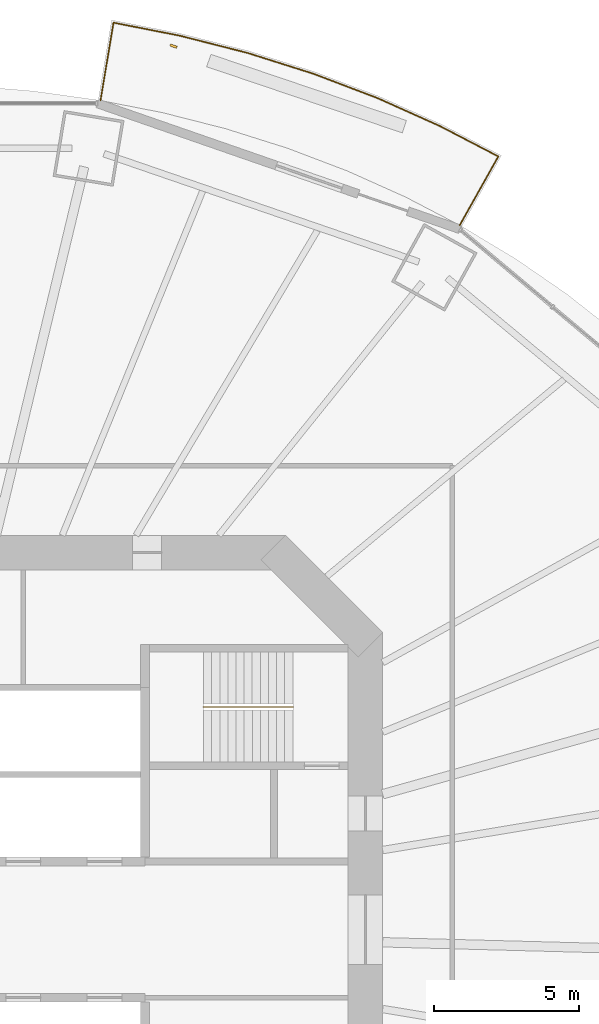
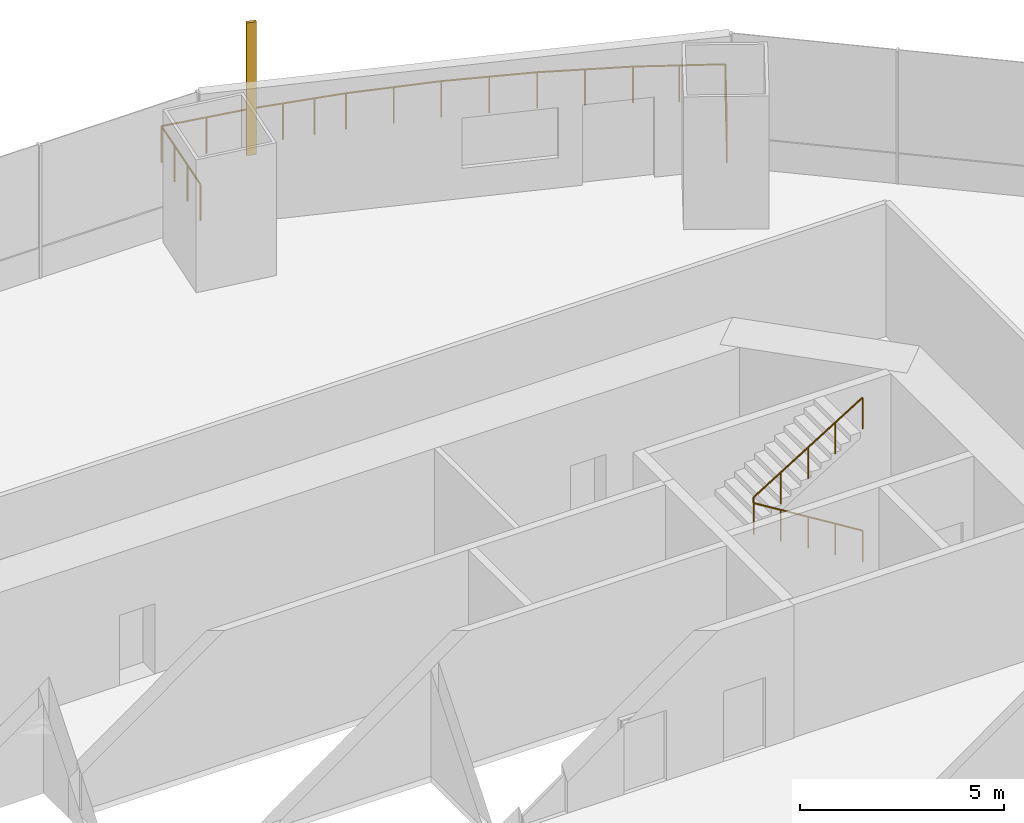
# One storey, part 20 of 22: 2 railings, 1 shading device.
"""IFC4 building model written with IfcOpenShell, lengths in metres."""

from ifc_helpers import new_model, si_unit, direction, frame, origin, origin_2d, place, context, subcontext, project, spatial, rectangle, circle, extrude, material, material_profile, profile_set, type_object, element, save


model = new_model("IFC4")

# Units and contexts
model_context = context("Model", 3, precision=1e-05, world=origin(), true_north=direction((0.0, 1.0)))
body_context = subcontext(model_context, "Body", "Model", "MODEL_VIEW")
ifc_project = project(units=[si_unit("LENGTHUNIT", "METRE"), si_unit("AREAUNIT", "SQUARE_METRE"), si_unit("VOLUMEUNIT", "CUBIC_METRE"), si_unit("PLANEANGLEUNIT", "RADIAN"), si_unit("MASSUNIT", "GRAM", prefix="KILO")], contexts=[model_context])

# Site, building, storey
site_placement = place(None, origin())
site = spatial("IfcSite", under=ifc_project, at=site_placement, CompositionType="ELEMENT")
building_placement = place(site_placement, origin())
building = spatial("IfcBuilding", under=site, at=building_placement, Name="Marenthal Gate Tower", CompositionType="ELEMENT")
storey_placement = place(building_placement, frame((0.0, 0.0, 103.550048828125)))
storey = spatial("IfcBuildingStorey", under=building, at=storey_placement, Name="L21", CompositionType="ELEMENT", Elevation=103.550048828125)

# Railings
ifc_material_1 = material(Name="Stainless steel", Category="steel")
railing_type_1 = type_object("IfcRailingType", Name="Balcony guard 1100", PredefinedType="GUARDRAIL", material=ifc_material_1)
railing_1_placement = place(storey_placement, frame((6.86572265625, 28.59912109375, 0.0)))
element("IfcRailing", 1, at=railing_1_placement, inside=storey, type_object=railing_type_1, Name="Balcony guard L21 bay 3", PredefinedType="GUARDRAIL", context=body_context, shape_type="SweptSolid", body=[
    extrude(circle(Radius=0.02392578125, at=origin_2d()), frame((0.0, 0.0, 1.076171875), z_axis=(0.164584914213, 0.986253111889, -0.014717516865), x_axis=(-0.986359943071, 0.164602742092, 0.0)), (0.0, 0.0, 1.0), 2.720458984375),
    extrude(circle(Radius=0.02392578125, at=origin_2d()), frame((0.44775390625, 2.68310546875, 1.0361328125), z_axis=(0.981231836587, -0.192831747562, 0.0), x_axis=(0.192831747562, 0.981231836587, 0.0)), (0.0, 0.0, 1.0), 2.330810546875),
    extrude(circle(Radius=0.02392578125, at=origin_2d()), frame((2.73486328125, 2.233642578125, 1.0361328125), z_axis=(0.969123243842, -0.246576840449, 0.0), x_axis=(0.246576840449, 0.969123243842, 0.0)), (0.0, 0.0, 1.0), 2.401123046875),
    extrude(circle(Radius=0.02392578125, at=origin_2d()), frame((5.061767578125, 1.6416015625, 1.0361328125), z_axis=(0.953610460093, -0.301043336416, 0.0), x_axis=(0.301043336416, 0.953610460093, 0.0)), (0.0, 0.0, 1.0), 2.38916015625),
    extrude(circle(Radius=0.02392578125, at=origin_2d()), frame((7.340087890625, 0.92236328125, 1.0361328125), z_axis=(0.934799959644, -0.355174654852, 0.0), x_axis=(0.355174654852, 0.934799959644, 0.0)), (0.0, 0.0, 1.0), 2.37548828125),
    extrude(circle(Radius=0.02392578125, at=origin_2d()), frame((9.560791015625, 0.07861328125, 1.0361328125), z_axis=(0.91251864488, -0.409035111876, 0.0), x_axis=(0.409035111876, 0.91251864488, 0.0)), (0.0, 0.0, 1.0), 2.360107421875),
    extrude(circle(Radius=0.02392578125, at=origin_2d()), frame((11.71435546875, -0.88671875, 1.0361328125), z_axis=(0.887149676746, -0.461481799261, 0.0), x_axis=(0.461481799261, 0.887149676746, 0.0)), (0.0, 0.0, 1.0), 2.26318359375),
    extrude(circle(Radius=0.02392578125, at=origin_2d()), frame((13.72216796875, -1.93115234375, 1.0361328125), z_axis=(-0.489129707977, -0.872086857323, 0.014718765524), x_axis=(0.872181338021, -0.489182699621, 0.0)), (0.0, 0.0, 1.0), 2.72021484375),
    extrude(circle(Radius=0.02099609375, at=origin_2d()), origin(), (0.0, 0.0, 1.0), 1.052001953125),
    extrude(circle(Radius=0.02099609375, at=origin_2d()), frame((0.149169921875, 0.894287109375, -0.013427734375)), (0.0, 0.0, 1.0), 1.052001953125),
    extrude(circle(Radius=0.02099609375, at=origin_2d()), frame((0.298583984375, 1.788818359375, -0.026611328125)), (0.0, 0.0, 1.0), 1.052001953125),
    extrude(circle(Radius=0.02099609375, at=origin_2d()), frame((0.44775390625, 2.68310546875, -0.0400390625)), (0.0, 0.0, 1.0), 1.052001953125),
    extrude(circle(Radius=0.02099609375, at=origin_2d()), frame((1.59130859375, 2.45849609375, -0.0400390625)), (0.0, 0.0, 1.0), 1.052001953125),
    extrude(circle(Radius=0.02099609375, at=origin_2d()), frame((2.73486328125, 2.233642578125, -0.0400390625)), (0.0, 0.0, 1.0), 1.052001953125),
    extrude(circle(Radius=0.02099609375, at=origin_2d()), frame((3.510498046875, 2.036376953125, -0.0400390625)), (0.0, 0.0, 1.0), 1.052001953125),
    extrude(circle(Radius=0.02099609375, at=origin_2d()), frame((4.2861328125, 1.8388671875, -0.0400390625)), (0.0, 0.0, 1.0), 1.052001953125),
    extrude(circle(Radius=0.02099609375, at=origin_2d()), frame((5.061767578125, 1.6416015625, -0.0400390625)), (0.0, 0.0, 1.0), 1.052001953125),
    extrude(circle(Radius=0.02099609375, at=origin_2d()), frame((6.200927734375, 1.281982421875, -0.0400390625)), (0.0, 0.0, 1.0), 1.052001953125),
    extrude(circle(Radius=0.02099609375, at=origin_2d()), frame((7.340087890625, 0.92236328125, -0.0400390625)), (0.0, 0.0, 1.0), 1.052001953125),
    extrude(circle(Radius=0.02099609375, at=origin_2d()), frame((8.450439453125, 0.50048828125, -0.0400390625)), (0.0, 0.0, 1.0), 1.052001953125),
    extrude(circle(Radius=0.02099609375, at=origin_2d()), frame((9.560791015625, 0.07861328125, -0.0400390625)), (0.0, 0.0, 1.0), 1.052001953125),
    extrude(circle(Radius=0.02099609375, at=origin_2d()), frame((10.6376953125, -0.404052734375, -0.0400390625)), (0.0, 0.0, 1.0), 1.052001953125),
    extrude(circle(Radius=0.02099609375, at=origin_2d()), frame((11.71435546875, -0.88671875, -0.0400390625)), (0.0, 0.0, 1.0), 1.052001953125),
    extrude(circle(Radius=0.02099609375, at=origin_2d()), frame((12.71826171875, -1.408935546875, -0.0400390625)), (0.0, 0.0, 1.0), 1.052001953125),
    extrude(circle(Radius=0.02099609375, at=origin_2d()), frame((13.72216796875, -1.93115234375, -0.0400390625)), (0.0, 0.0, 1.0), 1.052001953125),
    extrude(circle(Radius=0.02099609375, at=origin_2d()), frame((13.278564453125, -2.721923828125, -0.026611328125)), (0.0, 0.0, 1.0), 1.052001953125),
    extrude(circle(Radius=0.02099609375, at=origin_2d()), frame((12.835205078125, -3.5126953125, -0.013427734375)), (0.0, 0.0, 1.0), 1.052001953125),
    extrude(circle(Radius=0.02099609375, at=origin_2d()), frame((12.3916015625, -4.303466796875, 0.0)), (0.0, 0.0, 1.0), 1.052001953125),
])
ifc_material_2 = material(Name="Stainless steel", Category="steel")
railing_type_2 = type_object("IfcRailingType", Name="Stair handrail", PredefinedType="HANDRAIL", material=ifc_material_2)
railing_2_placement = place(storey_placement, frame((13.5, 7.675048828125, 0.1728515625)))
element("IfcRailing", 2, at=railing_2_placement, inside=storey, type_object=railing_type_2, Name="Handrail ST3", PredefinedType="HANDRAIL", context=body_context, shape_type="SweptSolid", body=[
    extrude(circle(Radius=0.0224609375, at=origin_2d()), frame((0.0, 0.0, 0.927490234375), z_axis=(-0.850835241893, 0.0, 0.525432575268), x_axis=(0.0, -1.0, 0.0)), (0.0, 0.0, 1.0), 3.6201171875),
    extrude(circle(Radius=0.0224609375, at=origin_2d()), frame((-3.080078125, 0.0, 2.82958984375), z_axis=(0.0, 0.0, 1.0), x_axis=(1.0, 0.0, 0.0)), (0.0, 0.0, 1.0), 0.1728515625),
    extrude(circle(Radius=0.0224609375, at=origin_2d()), frame((-3.080078125, 0.0, 3.00244140625), z_axis=(0.850835241893, 0.0, 0.525432575268), x_axis=(0.0, 1.0, 0.0)), (0.0, 0.0, 1.0), 3.6201171875),
    extrude(circle(Radius=0.02001953125, at=origin_2d()), origin(), (0.0, 0.0, 1.0), 0.905029296875),
    extrude(circle(Radius=0.02001953125, at=origin_2d()), frame((-0.77001953125, 0.0, 0.4755859375)), (0.0, 0.0, 1.0), 0.905029296875),
    extrude(circle(Radius=0.02001953125, at=origin_2d()), frame((-1.5400390625, 0.0, 0.951171875)), (0.0, 0.0, 1.0), 0.905029296875),
    extrude(circle(Radius=0.02001953125, at=origin_2d()), frame((-2.31005859375, 0.0, 1.426513671875)), (0.0, 0.0, 1.0), 0.905029296875),
    extrude(circle(Radius=0.02001953125, at=origin_2d()), frame((-3.080078125, 0.0, 1.902099609375)), (0.0, 0.0, 1.0), 0.905029296875),
    extrude(circle(Radius=0.02001953125, at=origin_2d()), frame((-3.080078125, 0.0, 2.074951171875)), (0.0, 0.0, 1.0), 0.905029296875),
    extrude(circle(Radius=0.02001953125, at=origin_2d()), frame((-2.31005859375, 0.0, 2.550537109375)), (0.0, 0.0, 1.0), 0.905029296875),
    extrude(circle(Radius=0.02001953125, at=origin_2d()), frame((-1.5400390625, 0.0, 3.02587890625)), (0.0, 0.0, 1.0), 0.905029296875),
    extrude(circle(Radius=0.02001953125, at=origin_2d()), frame((-0.77001953125, 0.0, 3.50146484375)), (0.0, 0.0, 1.0), 0.905029296875),
    extrude(circle(Radius=0.02001953125, at=origin_2d()), frame((0.0, 0.0, 3.97705078125)), (0.0, 0.0, 1.0), 0.905029296875),
])

# Shading device
ifc_material_3 = material(Name="Terracotta", Category="masonry")
ifc_material_profile = material_profile(ifc_material_3, rectangle(XDim=0.25, YDim=0.080078125, at=origin_2d()), Name="Terracotta baguette 250x80")
ifc_profile_set = profile_set([ifc_material_profile], Name="Terracotta")
shading_device_type = type_object("IfcShadingDeviceType", Name="Terracotta BAGUETTE SCREEN 250x80", PredefinedType="USERDEFINED", material=ifc_profile_set)
shading_device_placement = place(storey_placement, frame((9.382568359375, 30.47314453125, -0.0400390625), z_axis=(0.0, 0.0, 1.0), x_axis=(-0.94461425051, 0.328182750512, 0.0)))
element("IfcShadingDevice", 3, at=shading_device_placement, inside=storey, type_object=shading_device_type, Name="Terracotta BAGUETTE L21 bay 3R", ObjectType="BAGUETTE SCREEN", PredefinedType="USERDEFINED", context=body_context, shape_type="SweptSolid", body=[
    extrude(rectangle(XDim=0.25, YDim=0.080078125, at=origin_2d()), origin(), (0.0, 0.0, 1.0), 3.969970703125),
])

save(model, "model.ifc")
